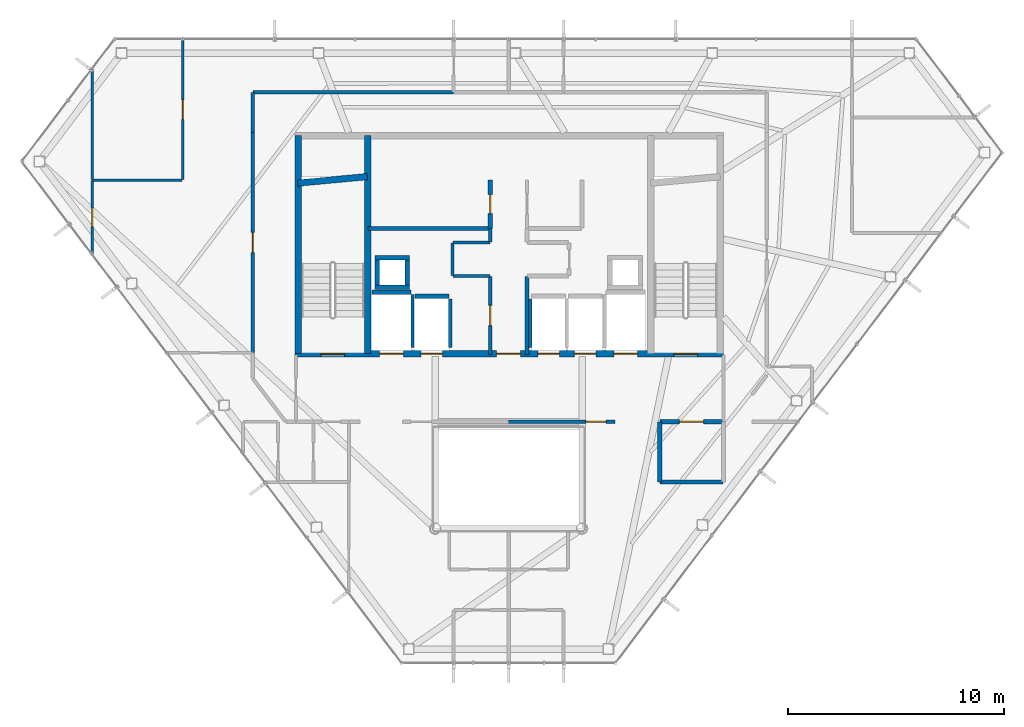
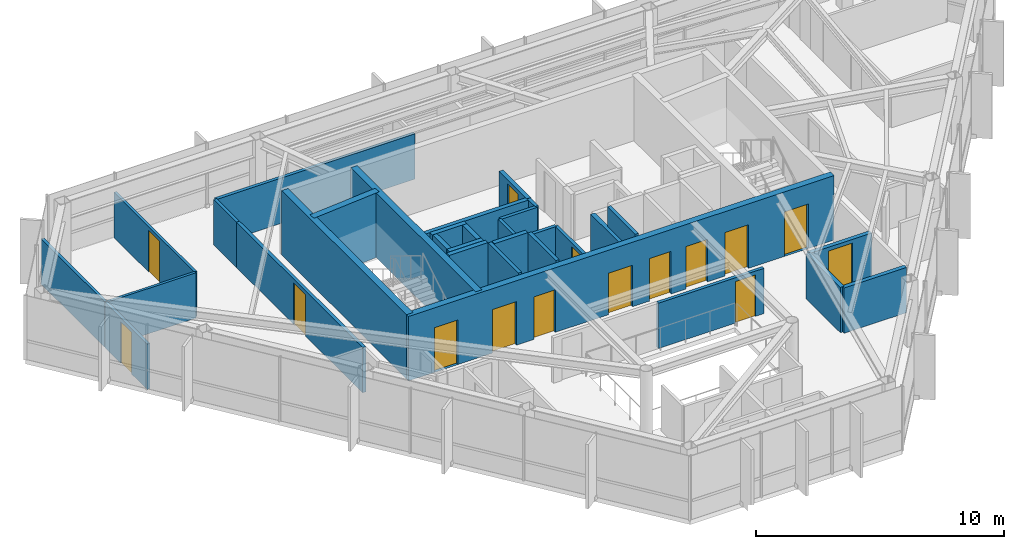
# One storey, part 23 of 26: 32 walls, 15 doors, 15 openings.
"""IFC4 building model written with IfcOpenShell, lengths in metres."""

from ifc_helpers import new_model, si_unit, direction, frame, frame_2d, origin, place, context, subcontext, project, spatial, rectangle, extrude, material, layer, layer_set, type_object, element, fill, save


model = new_model("IFC4")

# Units and contexts
model_context = context("Model", 3, precision=1e-05, world=origin(), true_north=direction((0.0, 1.0)))
body_context = subcontext(model_context, "Body", "Model", "MODEL_VIEW")
ifc_project = project(units=[si_unit("LENGTHUNIT", "METRE"), si_unit("AREAUNIT", "SQUARE_METRE"), si_unit("VOLUMEUNIT", "CUBIC_METRE"), si_unit("PLANEANGLEUNIT", "RADIAN"), si_unit("MASSUNIT", "GRAM", prefix="KILO")], contexts=[model_context])

# Site, building, storey
site_placement = place(None, origin())
site = spatial("IfcSite", under=ifc_project, at=site_placement, CompositionType="ELEMENT")
building_placement = place(site_placement, origin())
building = spatial("IfcBuilding", under=site, at=building_placement, Name="Zarrinselat Tower", CompositionType="ELEMENT")
storey_placement = place(building_placement, frame((0.0, 0.0, 258.39990234375)))
storey = spatial("IfcBuildingStorey", under=building, at=storey_placement, Name="L65", CompositionType="ELEMENT", Elevation=258.39990234375)

# Wall, opening, door
ifc_material_1 = material(Name="Concrete C40/50", Category="concrete")
ifc_layer_1 = layer(ifc_material_1, 0.18994140625)
ifc_layer_set_1 = layer_set([ifc_layer_1], Name="Concrete C40/50")
wall_type_1 = type_object("IfcWallType", Name="WAL-PART-EI120", PredefinedType="PARTITIONING", material=ifc_layer_set_1)
wall_1_placement = place(storey_placement, frame((45.405029296875, 30.14990234375, 0.0), z_axis=(0.0, 0.0, 1.0), x_axis=(1.0, 0.0, 0.0)))
wall_1 = element("IfcWall", 1, at=wall_1_placement, inside=storey, type_object=wall_type_1, Name="L65 Partition Wall 16", PredefinedType="PARTITIONING", context=body_context, shape_type="SweptSolid", body=[
    extrude(rectangle(XDim=2.925048828125, YDim=0.18994140625, at=frame_2d((1.46240234375, 0.0))), origin(), (0.0, 0.0, 1.0), 2.235107421875),
])
opening_1_placement = place(wall_1_placement, frame((0.902587890625, 0.0, 0.0)))
opening_1 = element("IfcOpeningElement", 2, at=opening_1_placement, cuts=wall_1, Name="Opening ID-02", PredefinedType="OPENING", context=body_context, shape_type="SweptSolid", body=[
    extrude(rectangle(XDim=1.1201171875, YDim=2.050048828125, at=frame_2d((0.56005859375, 1.02490234375))), frame((0.0, 0.10498046875, 0.0), z_axis=(0.0, -1.0, 0.0), x_axis=(1.0, 0.0, 0.0)), (0.0, 0.0, 1.0), 0.2099609375),
])
ifc_material_2 = material(Name="Steel S355J2", Category="steel")
door_type_1 = type_object("IfcDoorType", Name="DR-INT-FD60-W", OperationType="NOTDEFINED", PredefinedType="DOOR", material=ifc_material_2)
door_1_placement = place(opening_1_placement, origin())
door_1 = element("IfcDoor", 3, at=door_1_placement, inside=storey, type_object=door_type_1, Name="L65 Interior Door P16", OperationType="SINGLE_SWING_LEFT", OverallHeight=2.050048828125, OverallWidth=1.1201171875, PredefinedType="DOOR", context=body_context, shape_type="SweptSolid", body=[
    extrude(rectangle(XDim=1.1201171875, YDim=2.050048828125, at=frame_2d((0.56005859375, 1.02490234375))), frame((0.0, 0.02490234375, 0.0), z_axis=(0.0, -1.0, 0.0), x_axis=(1.0, 0.0, 0.0)), (0.0, 0.0, 1.0), 0.050048828125),
])
fill(opening_1, door_1)

# Walls
wall_2_placement = place(storey_placement, frame((45.419921875, 27.35009765625, 0.0), z_axis=(0.0, 0.0, 1.0), x_axis=(1.0, 0.0, 0.0)))
element("IfcWall", 4, at=wall_2_placement, inside=storey, type_object=wall_type_1, Name="L65 Partition Wall 24", PredefinedType="PARTITIONING", context=body_context, shape_type="SweptSolid", body=[
    extrude(rectangle(XDim=2.91015625, YDim=0.18994140625, at=frame_2d((1.455078125, 0.0))), origin(), (0.0, 0.0, 1.0), 2.235107421875),
])
wall_3_placement = place(storey_placement, frame((45.39990234375, 27.3701171875, 0.0), z_axis=(0.0, 0.0, 1.0), x_axis=(0.0, 1.0, 0.0)))
element("IfcWall", 5, at=wall_3_placement, inside=storey, type_object=wall_type_1, Name="L65 Partition Wall 25", PredefinedType="PARTITIONING", context=body_context, shape_type="SweptSolid", body=[
    extrude(rectangle(XDim=2.759765625, YDim=0.18994140625, at=frame_2d((1.3798828125, 0.0))), origin(), (0.0, 0.0, 1.0), 2.235107421875),
])

# Wall, opening, door
ifc_material_3 = material(Name="Fire-Rated Gypsum Board Partition", Category="gypsum")
ifc_layer_2 = layer(ifc_material_3, 0.14990234375)
ifc_layer_set_2 = layer_set([ifc_layer_2], Name="Fire-Rated Gypsum Board Partition")
wall_type_2 = type_object("IfcWallType", Name="WAL-PART-EI60", PredefinedType="PARTITIONING", material=ifc_layer_set_2)
wall_4_placement = place(storey_placement, frame((37.550048828125, 33.264892578125, 0.0), z_axis=(0.0, 0.0, 1.0), x_axis=(0.0, 1.0, 0.0)))
wall_4 = element("IfcWall", 6, at=wall_4_placement, inside=storey, type_object=wall_type_2, Name="L65 Partition Wall 1", PredefinedType="PARTITIONING", context=body_context, shape_type="SweptSolid", body=[
    extrude(rectangle(XDim=3.614990234375, YDim=0.14990234375, at=frame_2d((1.8076171875, 0.0))), origin(), (0.0, 0.0, 1.0), 2.235107421875),
])
opening_2_placement = place(wall_4_placement, frame((1.33740234375, 0.0, 0.0)))
opening_2 = element("IfcOpeningElement", 7, at=opening_2_placement, cuts=wall_4, Name="Opening ID-04", PredefinedType="OPENING", context=body_context, shape_type="SweptSolid", body=[
    extrude(rectangle(XDim=0.93994140625, YDim=2.050048828125, at=frame_2d((0.469970703125, 1.02490234375))), frame((0.0, 0.0849609375, 0.0), z_axis=(0.0, -1.0, 0.0), x_axis=(1.0, 0.0, 0.0)), (0.0, 0.0, 1.0), 0.169921875),
])
ifc_material_4 = material(Name="Fire-Rated Gypsum Board Partition")
door_type_2 = type_object("IfcDoorType", Name="DR-INT-FD30-ENT", OperationType="NOTDEFINED", PredefinedType="DOOR", material=ifc_material_4)
door_2_placement = place(opening_2_placement, origin())
door_2 = element("IfcDoor", 8, at=door_2_placement, inside=storey, type_object=door_type_2, Name="L65 Interior Door P1", OperationType="SINGLE_SWING_LEFT", OverallHeight=2.050048828125, OverallWidth=0.93994140625, PredefinedType="DOOR", context=body_context, shape_type="SweptSolid", body=[
    extrude(rectangle(XDim=0.93994140625, YDim=2.050048828125, at=frame_2d((0.469970703125, 1.02490234375))), frame((0.0, 0.02490234375, 0.0), z_axis=(0.0, -1.0, 0.0), x_axis=(1.0, 0.0, 0.0)), (0.0, 0.0, 1.0), 0.050048828125),
])
fill(opening_2, door_2)

# Walls
wall_5_placement = place(storey_placement, frame((35.820068359375, 36.89990234375, 0.0), z_axis=(0.0, 0.0, 1.0), x_axis=(1.0, 0.0, 0.0)))
element("IfcWall", 9, at=wall_5_placement, inside=storey, type_object=wall_type_2, Name="L65 Partition Wall 2", PredefinedType="PARTITIONING", context=body_context, shape_type="SweptSolid", body=[
    extrude(rectangle(XDim=1.7099609375, YDim=0.14990234375, at=frame_2d((0.85498046875, 0.0))), origin(), (0.0, 0.0, 1.0), 2.235107421875),
])
wall_6_placement = place(storey_placement, frame((35.800048828125, 36.919921875, 0.0), z_axis=(0.0, 0.0, 1.0), x_axis=(0.0, 1.0, 0.0)))
element("IfcWall", 10, at=wall_6_placement, inside=storey, type_object=wall_type_2, Name="L65 Partition Wall 3", PredefinedType="PARTITIONING", context=body_context, shape_type="SweptSolid", body=[
    extrude(rectangle(XDim=1.510009765625, YDim=0.14990234375, at=frame_2d((0.7548828125, 0.0))), origin(), (0.0, 0.0, 1.0), 2.235107421875),
])
wall_7_placement = place(storey_placement, frame((35.820068359375, 38.449951171875, 0.0), z_axis=(0.0, 0.0, 1.0), x_axis=(1.0, 0.0, 0.0)))
element("IfcWall", 11, at=wall_7_placement, inside=storey, type_object=wall_type_2, Name="L65 Partition Wall 4", PredefinedType="PARTITIONING", context=body_context, shape_type="SweptSolid", body=[
    extrude(rectangle(XDim=1.7099609375, YDim=0.14990234375, at=frame_2d((0.85498046875, 0.0))), origin(), (0.0, 0.0, 1.0), 2.235107421875),
])
wall_8_placement = place(storey_placement, frame((37.550048828125, 38.469970703125, 0.0), z_axis=(0.0, 0.0, 1.0), x_axis=(0.0, 1.0, 0.0)))
element("IfcWall", 12, at=wall_8_placement, inside=storey, type_object=wall_type_2, Name="L65 Partition Wall 5", PredefinedType="PARTITIONING", context=body_context, shape_type="SweptSolid", body=[
    extrude(rectangle(XDim=0.625, YDim=0.14990234375, at=frame_2d((0.3125, 0.0))), origin(), (0.0, 0.0, 1.0), 2.235107421875),
])

# Wall, opening, door
wall_9_placement = place(storey_placement, frame((38.385009765625, 30.14990234375, 0.0), z_axis=(0.0, 0.0, 1.0), x_axis=(1.0, 0.0, 0.0)))
wall_9 = element("IfcWall", 13, at=wall_9_placement, inside=storey, type_object=wall_type_2, Name="L65 Partition Wall 23", PredefinedType="PARTITIONING", context=body_context, shape_type="SweptSolid", body=[
    extrude(rectangle(XDim=4.929931640625, YDim=0.14990234375, at=frame_2d((2.46484375, 0.0))), origin(), (0.0, 0.0, 1.0), 2.235107421875),
])
opening_3_placement = place(wall_9_placement, frame((3.594970703125, 0.0, 0.0)))
opening_3 = element("IfcOpeningElement", 14, at=opening_3_placement, cuts=wall_9, Name="Opening ID-04", PredefinedType="OPENING", context=body_context, shape_type="SweptSolid", body=[
    extrude(rectangle(XDim=0.93994140625, YDim=2.050048828125, at=frame_2d((0.469970703125, 1.02490234375))), frame((0.0, 0.0849609375, 0.0), z_axis=(0.0, -1.0, 0.0), x_axis=(1.0, 0.0, 0.0)), (0.0, 0.0, 1.0), 0.169921875),
])
door_3_placement = place(opening_3_placement, origin())
door_3 = element("IfcDoor", 15, at=door_3_placement, inside=storey, type_object=door_type_2, Name="L65 Interior Door P23", OperationType="SINGLE_SWING_LEFT", OverallHeight=2.050048828125, OverallWidth=0.93994140625, PredefinedType="DOOR", context=body_context, shape_type="SweptSolid", body=[
    extrude(rectangle(XDim=0.93994140625, YDim=2.050048828125, at=frame_2d((0.469970703125, 1.02490234375))), frame((0.0, 0.02490234375, 0.0), z_axis=(0.0, -1.0, 0.0), x_axis=(1.0, 0.0, 0.0)), (0.0, 0.0, 1.0), 0.050048828125),
])
fill(opening_3, door_3)

wall_10_placement = place(storey_placement, frame((26.550048828125, 33.35302734375, 0.0), z_axis=(0.0, 0.0, 1.0), x_axis=(0.0, 1.0, 0.0)))
wall_10 = element("IfcWall", 16, at=wall_10_placement, inside=storey, type_object=wall_type_2, Name="L65 Partition Wall 28", PredefinedType="PARTITIONING", context=body_context, shape_type="SweptSolid", body=[
    extrude(rectangle(XDim=10.197021484375, YDim=0.14990234375, at=frame_2d((5.0986328125, 0.0))), origin(), (0.0, 0.0, 1.0), 2.235107421875),
])
opening_4_placement = place(wall_10_placement, frame((4.62841796875, 0.0, 0.0)))
opening_4 = element("IfcOpeningElement", 17, at=opening_4_placement, cuts=wall_10, Name="Opening ID-04", PredefinedType="OPENING", context=body_context, shape_type="SweptSolid", body=[
    extrude(rectangle(XDim=0.93994140625, YDim=2.050048828125, at=frame_2d((0.469970703125, 1.02490234375))), frame((0.0, 0.0849609375, 0.0), z_axis=(0.0, -1.0, 0.0), x_axis=(1.0, 0.0, 0.0)), (0.0, 0.0, 1.0), 0.169921875),
])
door_4_placement = place(opening_4_placement, origin())
door_4 = element("IfcDoor", 18, at=door_4_placement, inside=storey, type_object=door_type_2, Name="L65 Interior Door P28", OperationType="SINGLE_SWING_RIGHT", OverallHeight=2.050048828125, OverallWidth=0.93994140625, PredefinedType="DOOR", context=body_context, shape_type="SweptSolid", body=[
    extrude(rectangle(XDim=0.93994140625, YDim=2.050048828125, at=frame_2d((0.469970703125, 1.02490234375))), frame((0.0, 0.02490234375, 0.0), z_axis=(0.0, -1.0, 0.0), x_axis=(1.0, 0.0, 0.0)), (0.0, 0.0, 1.0), 0.050048828125),
])
fill(opening_4, door_4)

# Walls
wall_11_placement = place(storey_placement, frame((26.550048828125, 43.550048828125, 0.0), z_axis=(0.0, 0.0, 1.0), x_axis=(0.0, 1.0, 0.0)))
element("IfcWall", 19, at=wall_11_placement, inside=storey, type_object=wall_type_2, Name="L65 Partition Wall 29", PredefinedType="PARTITIONING", context=body_context, shape_type="SweptSolid", body=[
    extrude(rectangle(XDim=1.836669921875, YDim=0.14990234375, at=frame_2d((0.91845703125, 0.0))), origin(), (0.0, 0.0, 1.0), 2.235107421875),
])
wall_12_placement = place(storey_placement, frame((26.570068359375, 45.40673828125, 0.0), z_axis=(0.0, 0.0, 1.0), x_axis=(1.0, 0.0, 0.0)))
element("IfcWall", 20, at=wall_12_placement, inside=storey, type_object=wall_type_2, Name="L65 Partition Wall 30", PredefinedType="PARTITIONING", context=body_context, shape_type="SweptSolid", body=[
    extrude(rectangle(XDim=9.27490234375, YDim=0.14990234375, at=frame_2d((4.637451171875, 0.0))), origin(), (0.0, 0.0, 1.0), 2.235107421875),
])

# Wall, opening, door
ifc_material_5 = material(Name="Concrete C40/50", Category="concrete")
ifc_layer_3 = layer(ifc_material_5, 0.199951171875)
ifc_layer_set_3 = layer_set([ifc_layer_3], Name="Concrete C40/50")
wall_type_3 = type_object("IfcWallType", Name="WAL-PART-PLANT", PredefinedType="PARTITIONING", material=ifc_layer_set_3)
wall_13_placement = place(storey_placement, frame((37.550048828125, 39.10498046875, 0.0), z_axis=(0.0, 0.0, 1.0), x_axis=(0.0, 1.0, 0.0)))
wall_13 = element("IfcWall", 21, at=wall_13_placement, inside=storey, type_object=wall_type_3, Name="L65 Partition Wall 6", PredefinedType="PARTITIONING", context=body_context, shape_type="SweptSolid", body=[
    extrude(rectangle(XDim=2.2451171875, YDim=0.199951171875, at=frame_2d((1.12255859375, 0.0))), origin(), (0.0, 0.0, 1.0), 2.235107421875),
])
opening_5_placement = place(wall_13_placement, frame((0.6826171875, 0.0, 0.0)))
opening_5 = element("IfcOpeningElement", 22, at=opening_5_placement, cuts=wall_13, Name="Opening ID-03", PredefinedType="OPENING", context=body_context, shape_type="SweptSolid", body=[
    extrude(rectangle(XDim=0.8798828125, YDim=2.050048828125, at=frame_2d((0.43994140625, 1.02490234375))), frame((0.0, 0.10986328125, 0.0), z_axis=(0.0, -1.0, 0.0), x_axis=(1.0, 0.0, 0.0)), (0.0, 0.0, 1.0), 0.219970703125),
])
ifc_material_6 = material(Name="Steel S355J2", Category="steel")
door_type_3 = type_object("IfcDoorType", Name="DR-INT-FD60-S", OperationType="NOTDEFINED", PredefinedType="DOOR", material=ifc_material_6)
door_5_placement = place(opening_5_placement, origin())
door_5 = element("IfcDoor", 23, at=door_5_placement, inside=storey, type_object=door_type_3, Name="L65 Interior Door P6", OperationType="SINGLE_SWING_RIGHT", OverallHeight=2.050048828125, OverallWidth=0.8798828125, PredefinedType="DOOR", context=body_context, shape_type="SweptSolid", body=[
    extrude(rectangle(XDim=0.8798828125, YDim=2.050048828125, at=frame_2d((0.43994140625, 1.02490234375))), frame((0.0, 0.02490234375, 0.0), z_axis=(0.0, -1.0, 0.0), x_axis=(1.0, 0.0, 0.0)), (0.0, 0.0, 1.0), 0.050048828125),
])
fill(opening_5, door_5)

# Walls
wall_14_placement = place(storey_placement, frame((39.25, 33.264892578125, 0.0), z_axis=(0.0, 0.0, 1.0), x_axis=(0.0, 1.0, 0.0)))
element("IfcWall", 24, at=wall_14_placement, inside=storey, type_object=wall_type_3, Name="L65 Partition Wall 11", PredefinedType="PARTITIONING", context=body_context, shape_type="SweptSolid", body=[
    extrude(rectangle(XDim=3.614990234375, YDim=0.199951171875, at=frame_2d((1.8076171875, 0.0))), origin(), (0.0, 0.0, 1.0), 2.235107421875),
])
wall_15_placement = place(storey_placement, frame((31.885009765625, 39.10009765625, 0.0), z_axis=(0.0, 0.0, 1.0), x_axis=(1.0, 0.0, 0.0)))
element("IfcWall", 25, at=wall_15_placement, inside=storey, type_object=wall_type_3, Name="L65 Partition Wall 13", PredefinedType="PARTITIONING", context=body_context, shape_type="SweptSolid", body=[
    extrude(rectangle(XDim=5.64501953125, YDim=0.199951171875, at=frame_2d((2.822509765625, 0.0))), origin(), (0.0, 0.0, 1.0), 2.235107421875),
])
ifc_material_7 = material(Name="Fire-Rated Gypsum Board Partition", Category="gypsum")
ifc_layer_4 = layer(ifc_material_7, 0.1201171875)
ifc_layer_set_4 = layer_set([ifc_layer_4], Name="Fire-Rated Gypsum Board Partition")
wall_type_4 = type_object("IfcWallType", Name="WAL-PART-STD", PredefinedType="PARTITIONING", material=ifc_layer_set_4)
wall_16_placement = place(storey_placement, frame((19.1416015625, 41.33837890625, 0.0), z_axis=(0.0, 0.0, 1.0), x_axis=(1.0, 0.0, 0.0)))
element("IfcWall", 26, at=wall_16_placement, inside=storey, type_object=wall_type_4, Name="L65 Partition Wall 62", PredefinedType="PARTITIONING", context=body_context, shape_type="SweptSolid", body=[
    extrude(rectangle(XDim=4.14208984375, YDim=0.1201171875, at=frame_2d((2.071044921875, 0.0))), origin(), (0.0, 0.0, 1.0), 2.235107421875),
])

# Wall, opening, door
wall_17_placement = place(storey_placement, frame((23.3037109375, 41.3583984375, 0.0), z_axis=(0.0, 0.0, 1.0), x_axis=(0.0, 1.0, 0.0)))
wall_17 = element("IfcWall", 27, at=wall_17_placement, inside=storey, type_object=wall_type_4, Name="L65 Partition Wall 63", PredefinedType="PARTITIONING", context=body_context, shape_type="SweptSolid", body=[
    extrude(rectangle(XDim=6.493408203125, YDim=0.1201171875, at=frame_2d((3.24658203125, 0.0))), origin(), (0.0, 0.0, 1.0), 2.235107421875),
])
opening_6_placement = place(wall_17_placement, frame((2.796630859375, 0.0, 0.0)))
opening_6 = element("IfcOpeningElement", 28, at=opening_6_placement, cuts=wall_17, Name="Opening ID-05", PredefinedType="OPENING", context=body_context, shape_type="SweptSolid", body=[
    extrude(rectangle(XDim=0.89990234375, YDim=2.050048828125, at=frame_2d((0.449951171875, 1.02490234375))), frame((0.0, 0.070068359375, 0.0), z_axis=(0.0, -1.0, 0.0), x_axis=(1.0, 0.0, 0.0)), (0.0, 0.0, 1.0), 0.14013671875),
])
ifc_material_8 = material(Name="Extruded Aluminium Alloy EN AW-6063 T6", Category="aluminium")
door_type_4 = type_object("IfcDoorType", Name="DR-INT-STD-920", OperationType="NOTDEFINED", PredefinedType="DOOR", material=ifc_material_8)
door_6_placement = place(opening_6_placement, origin())
door_6 = element("IfcDoor", 29, at=door_6_placement, inside=storey, type_object=door_type_4, Name="L65 Interior Door P63", OperationType="SINGLE_SWING_LEFT", OverallHeight=2.050048828125, OverallWidth=0.89990234375, PredefinedType="DOOR", context=body_context, shape_type="SweptSolid", body=[
    extrude(rectangle(XDim=0.89990234375, YDim=2.050048828125, at=frame_2d((0.449951171875, 1.02490234375))), frame((0.0, 0.02490234375, 0.0), z_axis=(0.0, -1.0, 0.0), x_axis=(1.0, 0.0, 0.0)), (0.0, 0.0, 1.0), 0.050048828125),
])
fill(opening_6, door_6)

ifc_material_9 = material(Name="Fire-Rated Gypsum Board Partition", Category="gypsum")
ifc_layer_5 = layer(ifc_material_9, 0.135009765625)
ifc_layer_set_5 = layer_set([ifc_layer_5], Name="Fire-Rated Gypsum Board Partition")
wall_type_5 = type_object("IfcWallType", Name="WAL-PART-WET", PredefinedType="PARTITIONING", material=ifc_layer_set_5)
wall_18_placement = place(storey_placement, frame((19.12158203125, 37.9091796875, 0.0), z_axis=(0.0, 0.0, 1.0), x_axis=(0.0, 1.0, 0.0)))
wall_18 = element("IfcWall", 30, at=wall_18_placement, inside=storey, type_object=wall_type_5, Name="L65 Partition Wall 60", PredefinedType="PARTITIONING", context=body_context, shape_type="SweptSolid", body=[
    extrude(rectangle(XDim=3.4091796875, YDim=0.135009765625, at=frame_2d((1.70458984375, 0.0))), origin(), (0.0, 0.0, 1.0), 2.235107421875),
])
opening_7_placement = place(wall_18_placement, frame((1.274658203125, 0.0, 0.0)))
opening_7 = element("IfcOpeningElement", 31, at=opening_7_placement, cuts=wall_18, Name="Opening ID-06", PredefinedType="OPENING", context=body_context, shape_type="SweptSolid", body=[
    extrude(rectangle(XDim=0.860107421875, YDim=2.050048828125, at=frame_2d((0.43017578125, 1.02490234375))), frame((0.0, 0.077392578125, 0.0), z_axis=(0.0, -1.0, 0.0), x_axis=(1.0, 0.0, 0.0)), (0.0, 0.0, 1.0), 0.155029296875),
])
ifc_material_10 = material(Name="Extruded Aluminium Alloy EN AW-6063 T6", Category="aluminium")
door_type_5 = type_object("IfcDoorType", Name="DR-INT-WET-900", OperationType="NOTDEFINED", PredefinedType="DOOR", material=ifc_material_10)
door_7_placement = place(opening_7_placement, origin())
door_7 = element("IfcDoor", 32, at=door_7_placement, inside=storey, type_object=door_type_5, Name="L65 Interior Door P60", OperationType="SINGLE_SWING_LEFT", OverallHeight=2.050048828125, OverallWidth=0.860107421875, PredefinedType="DOOR", context=body_context, shape_type="SweptSolid", body=[
    extrude(rectangle(XDim=0.860107421875, YDim=2.050048828125, at=frame_2d((0.43017578125, 1.02490234375))), frame((0.0, 0.02490234375, 0.0), z_axis=(0.0, -1.0, 0.0), x_axis=(1.0, 0.0, 0.0)), (0.0, 0.0, 1.0), 0.050048828125),
])
fill(opening_7, door_7)

# Walls
wall_19_placement = place(storey_placement, frame((19.12158203125, 41.3583984375, 0.0), z_axis=(0.0, 0.0, 1.0), x_axis=(0.0, 1.0, 0.0)))
element("IfcWall", 33, at=wall_19_placement, inside=storey, type_object=wall_type_5, Name="L65 Partition Wall 65", PredefinedType="PARTITIONING", context=body_context, shape_type="SweptSolid", body=[
    extrude(rectangle(XDim=5.13134765625, YDim=0.135009765625, at=frame_2d((2.565673828125, 0.0))), origin(), (0.0, 0.0, 1.0), 2.235107421875),
])
ifc_material_11 = material(Name="Concrete C40/50", Category="concrete")
ifc_layer_6 = layer(ifc_material_11, 0.2099609375)
ifc_layer_set_6 = layer_set([ifc_layer_6], Name="Concrete C40/50")
wall_type_6 = type_object("IfcWallType", Name="WAL-SHAFT-210", PredefinedType="SOLIDWALL", material=ifc_layer_set_6)
wall_20_placement = place(storey_placement, frame((32.080078125, 36.155029296875, 0.0), z_axis=(0.0, 0.0, 1.0), x_axis=(1.0, 0.0, 0.0)))
element("IfcWall", 34, at=wall_20_placement, inside=storey, type_object=wall_type_6, Name="L65 Lift FFL1 North Shaft Wall", PredefinedType="SOLIDWALL", context=body_context, shape_type="SweptSolid", body=[
    extrude(rectangle(XDim=1.7998046875, YDim=0.2099609375, at=frame_2d((0.89990234375, 0.0))), origin(), (0.0, 0.0, 1.0), 3.18017578125),
])
wall_21_placement = place(storey_placement, frame((33.949951171875, 33.580078125, 0.0), z_axis=(0.0, 0.0, 1.0), x_axis=(0.0, 1.0, 0.0)))
element("IfcWall", 35, at=wall_21_placement, inside=storey, type_object=wall_type_6, Name="L65 Lift FFL1 E Shaft Wall", PredefinedType="SOLIDWALL", context=body_context, shape_type="SweptSolid", body=[
    extrude(rectangle(XDim=2.449951171875, YDim=0.159912109375, at=frame_2d((1.22509765625, 0.0))), origin(), (0.0, 0.0, 1.0), 3.18017578125),
])
wall_22_placement = place(storey_placement, frame((39.39990234375, 33.580078125, 0.0), z_axis=(0.0, 0.0, 1.0), x_axis=(0.0, 1.0, 0.0)))
element("IfcWall", 36, at=wall_22_placement, inside=storey, type_object=wall_type_6, Name="L65 Lift PL8 W Shaft Wall", PredefinedType="SOLIDWALL", context=body_context, shape_type="SweptSolid", body=[
    extrude(rectangle(XDim=2.25, YDim=0.159912109375, at=frame_2d((1.125, 0.0))), origin(), (0.0, 0.0, 1.0), 3.18017578125),
])
wall_23_placement = place(storey_placement, frame((34.070068359375, 35.955078125, 0.0), z_axis=(0.0, 0.0, 1.0), x_axis=(1.0, 0.0, 0.0)))
element("IfcWall", 37, at=wall_23_placement, inside=storey, type_object=wall_type_6, Name="L65 Lift PL10 North Shaft Wall", PredefinedType="SOLIDWALL", context=body_context, shape_type="SweptSolid", body=[
    extrude(rectangle(XDim=1.559814453125, YDim=0.2099609375, at=frame_2d((0.77978515625, 0.0))), origin(), (0.0, 0.0, 1.0), 3.18017578125),
])
wall_24_placement = place(storey_placement, frame((35.699951171875, 33.580078125, 0.0), z_axis=(0.0, 0.0, 1.0), x_axis=(0.0, 1.0, 0.0)))
element("IfcWall", 38, at=wall_24_placement, inside=storey, type_object=wall_type_6, Name="L65 Lift PL10 E Shaft Wall", PredefinedType="SOLIDWALL", context=body_context, shape_type="SweptSolid", body=[
    extrude(rectangle(XDim=2.25, YDim=0.159912109375, at=frame_2d((1.125, 0.0))), origin(), (0.0, 0.0, 1.0), 3.18017578125),
])
for number, where, z_axis, x_axis, name in (
    (39, (32.2099609375, 36.375, 0.0), (0.0, 0.0, 1.0), (1.0, 0.0, 0.0), "L65 Core Riser RSR-W S Shaft Wall"),
    (40, (32.2099609375, 37.7451171875, 0.0), (0.0, 0.0, 1.0), (1.0, 0.0, 0.0), "L65 Core Riser RSR-W N Shaft Wall"),
):
    element("IfcWall", number, at=place(storey_placement, frame(where, z_axis=z_axis, x_axis=x_axis)), inside=storey, type_object=wall_type_6, Name=name, PredefinedType="SOLIDWALL", context=body_context, shape_type="SweptSolid", body=[
        extrude(rectangle(XDim=1.60009765625, YDim=0.2099609375, at=frame_2d((0.800048828125, 0.0))), origin(), (0.0, 0.0, 1.0), 3.18017578125),
    ])
for number, where, z_axis, x_axis, name in (
    (41, (32.31494140625, 36.485107421875, 0.0), (0.0, 0.0, 1.0), (0.0, 1.0, 0.0), "L65 Core Riser RSR-W W Shaft Wall"),
    (42, (33.705078125, 36.485107421875, 0.0), (0.0, 0.0, 1.0), (0.0, 1.0, 0.0), "L65 Core Riser RSR-W E Shaft Wall"),
):
    element("IfcWall", number, at=place(storey_placement, frame(where, z_axis=z_axis, x_axis=x_axis)), inside=storey, type_object=wall_type_6, Name=name, PredefinedType="SOLIDWALL", context=body_context, shape_type="SweptSolid", body=[
        extrude(rectangle(XDim=1.14990234375, YDim=0.2099609375, at=frame_2d((0.574951171875, 0.0))), origin(), (0.0, 0.0, 1.0), 3.18017578125),
    ])

# Wall, openings, doors
ifc_material_12 = material(Name="Concrete C40/50", Category="concrete")
ifc_layer_7 = layer(ifc_material_12, 0.300048828125)
ifc_layer_set_7 = layer_set([ifc_layer_7], Name="Concrete C40/50")
wall_type_7 = type_object("IfcWallType", Name="WAL-SHEAR-300", PredefinedType="SHEAR", material=ifc_layer_set_7)
wall_25_placement = place(storey_placement, frame((28.5, 33.300048828125, 0.0), z_axis=(0.0, 0.0, 1.0), x_axis=(1.0, 0.0, 0.0)))
wall_25 = element("IfcWall", 43, at=wall_25_placement, inside=storey, type_object=wall_type_7, Name="L65 South Core Shear Wall", PredefinedType="SHEAR", context=body_context, shape_type="SweptSolid", body=[
    extrude(rectangle(XDim=19.860107421875, YDim=0.300048828125, at=frame_2d((9.93017578125, 0.0))), origin(), (0.0, 0.0, 1.0), 3.18017578125),
])
opening_8_placement = place(wall_25_placement, frame((3.929931640625, 0.0, 0.0)))
opening_8 = element("IfcOpeningElement", 44, at=opening_8_placement, cuts=wall_25, Name="Opening LD-FFL1", PredefinedType="OPENING", context=body_context, shape_type="SweptSolid", body=[
    extrude(rectangle(XDim=1.10009765625, YDim=2.14990234375, at=frame_2d((0.550048828125, 1.074951171875))), frame((0.0, 0.159912109375, 0.0), z_axis=(0.0, -1.0, 0.0), x_axis=(1.0, 0.0, 0.0)), (0.0, 0.0, 1.0), 0.320068359375),
])
opening_9_placement = place(wall_25_placement, frame((14.77001953125, 0.0, 0.0)))
opening_9 = element("IfcOpeningElement", 45, at=opening_9_placement, cuts=wall_25, Name="Opening LD-FFL2", PredefinedType="OPENING", context=body_context, shape_type="SweptSolid", body=[
    extrude(rectangle(XDim=1.10009765625, YDim=2.14990234375, at=frame_2d((0.550048828125, 1.074951171875))), frame((0.0, 0.159912109375, 0.0), z_axis=(0.0, -1.0, 0.0), x_axis=(1.0, 0.0, 0.0)), (0.0, 0.0, 1.0), 0.320068359375),
])
opening_10_placement = place(wall_25_placement, frame((11.25, 0.0, 0.0)))
opening_10 = element("IfcOpeningElement", 46, at=opening_10_placement, cuts=wall_25, Name="Opening LD-PL8", PredefinedType="OPENING", context=body_context, shape_type="SweptSolid", body=[
    extrude(rectangle(XDim=1.0, YDim=2.10009765625, at=frame_2d((0.5, 1.050048828125))), frame((0.0, 0.159912109375, 0.0), z_axis=(0.0, -1.0, 0.0), x_axis=(1.0, 0.0, 0.0)), (0.0, 0.0, 1.0), 0.320068359375),
])
opening_11_placement = place(wall_25_placement, frame((12.949951171875, 0.0, 0.0)))
opening_11 = element("IfcOpeningElement", 47, at=opening_11_placement, cuts=wall_25, Name="Opening LD-PL9", PredefinedType="OPENING", context=body_context, shape_type="SweptSolid", body=[
    extrude(rectangle(XDim=1.0, YDim=2.10009765625, at=frame_2d((0.5, 1.050048828125))), frame((0.0, 0.159912109375, 0.0), z_axis=(0.0, -1.0, 0.0), x_axis=(1.0, 0.0, 0.0)), (0.0, 0.0, 1.0), 0.320068359375),
])
opening_12_placement = place(wall_25_placement, frame((5.85009765625, 0.0, 0.0)))
opening_12 = element("IfcOpeningElement", 48, at=opening_12_placement, cuts=wall_25, Name="Opening LD-PL10", PredefinedType="OPENING", context=body_context, shape_type="SweptSolid", body=[
    extrude(rectangle(XDim=1.0, YDim=2.10009765625, at=frame_2d((0.5, 1.050048828125))), frame((0.0, 0.159912109375, 0.0), z_axis=(0.0, -1.0, 0.0), x_axis=(1.0, 0.0, 0.0)), (0.0, 0.0, 1.0), 0.320068359375),
])
opening_13_placement = place(wall_25_placement, frame((1.2099609375, 0.0, 0.0)))
opening_13 = element("IfcOpeningElement", 49, at=opening_13_placement, cuts=wall_25, Name="Opening SD-01", PredefinedType="OPENING", context=body_context, shape_type="SweptSolid", body=[
    extrude(rectangle(XDim=1.10009765625, YDim=2.199951171875, at=frame_2d((0.550048828125, 1.10009765625))), frame((0.0, 0.159912109375, 0.0), z_axis=(0.0, -1.0, 0.0), x_axis=(1.0, 0.0, 0.0)), (0.0, 0.0, 1.0), 0.320068359375),
])
opening_14_placement = place(wall_25_placement, frame((9.340087890625, 0.0, 0.0)))
opening_14 = element("IfcOpeningElement", 50, at=opening_14_placement, cuts=wall_25, Name="Opening ID-02", PredefinedType="OPENING", context=body_context, shape_type="SweptSolid", body=[
    extrude(rectangle(XDim=1.1201171875, YDim=2.050048828125, at=frame_2d((0.56005859375, 1.02490234375))), frame((0.0, 0.159912109375, 0.0), z_axis=(0.0, -1.0, 0.0), x_axis=(1.0, 0.0, 0.0)), (0.0, 0.0, 1.0), 0.320068359375),
])
opening_15_placement = place(wall_25_placement, frame((17.550048828125, 0.0, 0.0)))
opening_15 = element("IfcOpeningElement", 51, at=opening_15_placement, cuts=wall_25, Name="Opening SD-01", PredefinedType="OPENING", context=body_context, shape_type="SweptSolid", body=[
    extrude(rectangle(XDim=1.10009765625, YDim=2.199951171875, at=frame_2d((0.550048828125, 1.10009765625))), frame((0.0, 0.159912109375, 0.0), z_axis=(0.0, -1.0, 0.0), x_axis=(1.0, 0.0, 0.0)), (0.0, 0.0, 1.0), 0.320068359375),
])
door_8_placement = place(opening_14_placement, origin())
door_8 = element("IfcDoor", 52, at=door_8_placement, inside=storey, type_object=door_type_1, Name="L65 Core Service Vestibule Fire Door", OperationType="SINGLE_SWING_LEFT", OverallHeight=2.050048828125, OverallWidth=1.1201171875, PredefinedType="DOOR", context=body_context, shape_type="SweptSolid", body=[
    extrude(rectangle(XDim=1.1201171875, YDim=2.050048828125, at=frame_2d((0.56005859375, 1.02490234375))), frame((0.0, 0.02490234375, 0.0), z_axis=(0.0, -1.0, 0.0), x_axis=(1.0, 0.0, 0.0)), (0.0, 0.0, 1.0), 0.050048828125),
])
fill(opening_14, door_8)
ifc_material_13 = material(Name="Steel S355J2", Category="steel")
door_type_6 = type_object("IfcDoorType", Name="DR-LIFT-FF-1100", OperationType="NOTDEFINED", PredefinedType="DOOR", material=ifc_material_13)
door_9_placement = place(opening_8_placement, origin())
door_9 = element("IfcDoor", 53, at=door_9_placement, inside=storey, type_object=door_type_6, Name="L65 Lift FFL1 Sliding Landing Door", OperationType="SLIDING_TO_LEFT", OverallHeight=2.14990234375, OverallWidth=1.10009765625, PredefinedType="DOOR", context=body_context, shape_type="SweptSolid", body=[
    extrude(rectangle(XDim=1.10009765625, YDim=2.14990234375, at=frame_2d((0.550048828125, 1.074951171875))), frame((0.0, 0.02490234375, 0.0), z_axis=(0.0, -1.0, 0.0), x_axis=(1.0, 0.0, 0.0)), (0.0, 0.0, 1.0), 0.050048828125),
])
fill(opening_8, door_9)
door_10_placement = place(opening_9_placement, origin())
door_10 = element("IfcDoor", 54, at=door_10_placement, inside=storey, type_object=door_type_6, Name="L65 Lift FFL2 Sliding Landing Door", OperationType="SLIDING_TO_RIGHT", OverallHeight=2.14990234375, OverallWidth=1.10009765625, PredefinedType="DOOR", context=body_context, shape_type="SweptSolid", body=[
    extrude(rectangle(XDim=1.10009765625, YDim=2.14990234375, at=frame_2d((0.550048828125, 1.074951171875))), frame((0.0, 0.02490234375, 0.0), z_axis=(0.0, -1.0, 0.0), x_axis=(1.0, 0.0, 0.0)), (0.0, 0.0, 1.0), 0.050048828125),
])
fill(opening_9, door_10)
ifc_material_14 = material(Name="Steel S355J2", Category="steel")
door_type_7 = type_object("IfcDoorType", Name="DR-LIFT-PS-1000", OperationType="NOTDEFINED", PredefinedType="DOOR", material=ifc_material_14)
door_11_placement = place(opening_10_placement, origin())
door_11 = element("IfcDoor", 55, at=door_11_placement, inside=storey, type_object=door_type_7, Name="L65 Lift PL8 Sliding Landing Door", OperationType="SLIDING_TO_RIGHT", OverallHeight=2.10009765625, OverallWidth=1.0, PredefinedType="DOOR", context=body_context, shape_type="SweptSolid", body=[
    extrude(rectangle(XDim=1.0, YDim=2.10009765625, at=frame_2d((0.5, 1.050048828125))), frame((0.0, 0.02490234375, 0.0), z_axis=(0.0, -1.0, 0.0), x_axis=(1.0, 0.0, 0.0)), (0.0, 0.0, 1.0), 0.050048828125),
])
fill(opening_10, door_11)
door_12_placement = place(opening_11_placement, origin())
door_12 = element("IfcDoor", 56, at=door_12_placement, inside=storey, type_object=door_type_7, Name="L65 Lift PL9 Sliding Landing Door", OperationType="SLIDING_TO_LEFT", OverallHeight=2.10009765625, OverallWidth=1.0, PredefinedType="DOOR", context=body_context, shape_type="SweptSolid", body=[
    extrude(rectangle(XDim=1.0, YDim=2.10009765625, at=frame_2d((0.5, 1.050048828125))), frame((0.0, 0.02490234375, 0.0), z_axis=(0.0, -1.0, 0.0), x_axis=(1.0, 0.0, 0.0)), (0.0, 0.0, 1.0), 0.050048828125),
])
fill(opening_11, door_12)
door_13_placement = place(opening_12_placement, origin())
door_13 = element("IfcDoor", 57, at=door_13_placement, inside=storey, type_object=door_type_7, Name="L65 Lift PL10 Sliding Landing Door", OperationType="SLIDING_TO_RIGHT", OverallHeight=2.10009765625, OverallWidth=1.0, PredefinedType="DOOR", context=body_context, shape_type="SweptSolid", body=[
    extrude(rectangle(XDim=1.0, YDim=2.10009765625, at=frame_2d((0.5, 1.050048828125))), frame((0.0, 0.02490234375, 0.0), z_axis=(0.0, -1.0, 0.0), x_axis=(1.0, 0.0, 0.0)), (0.0, 0.0, 1.0), 0.050048828125),
])
fill(opening_12, door_13)
ifc_material_15 = material(Name="Steel S355J2", Category="steel")
door_type_8 = type_object("IfcDoorType", Name="DR-STAIR-1100", OperationType="NOTDEFINED", PredefinedType="DOOR", material=ifc_material_15)
door_14_placement = place(opening_13_placement, origin())
door_14 = element("IfcDoor", 58, at=door_14_placement, inside=storey, type_object=door_type_8, Name="L65 Exit Stair 1 Fire Door", OperationType="SINGLE_SWING_LEFT", OverallHeight=2.199951171875, OverallWidth=1.10009765625, PredefinedType="DOOR", context=body_context, shape_type="SweptSolid", body=[
    extrude(rectangle(XDim=1.10009765625, YDim=2.199951171875, at=frame_2d((0.550048828125, 1.10009765625))), frame((0.0, 0.02490234375, 0.0), z_axis=(0.0, -1.0, 0.0), x_axis=(1.0, 0.0, 0.0)), (0.0, 0.0, 1.0), 0.050048828125),
])
fill(opening_13, door_14)
door_15_placement = place(opening_15_placement, origin())
door_15 = element("IfcDoor", 59, at=door_15_placement, inside=storey, type_object=door_type_8, Name="L65 Exit Stair 2 Fire Door", OperationType="SINGLE_SWING_RIGHT", OverallHeight=2.199951171875, OverallWidth=1.10009765625, PredefinedType="DOOR", context=body_context, shape_type="SweptSolid", body=[
    extrude(rectangle(XDim=1.10009765625, YDim=2.199951171875, at=frame_2d((0.550048828125, 1.10009765625))), frame((0.0, 0.02490234375, 0.0), z_axis=(0.0, -1.0, 0.0), x_axis=(1.0, 0.0, 0.0)), (0.0, 0.0, 1.0), 0.050048828125),
])
fill(opening_15, door_15)

# Walls
for number, where, z_axis, x_axis, name in (
    (60, (28.64990234375, 33.300048828125, 0.0), (0.0, 0.0, 1.0), (0.0, 1.0, 0.0), "L65 Core Shear Wall W"),
    (61, (31.8701171875, 33.300048828125, 0.0), (0.0, 0.0, 1.0), (0.0, 1.0, 0.0), "L65 Core Shear Wall ST1E"),
):
    element("IfcWall", number, at=place(storey_placement, frame(where, z_axis=z_axis, x_axis=x_axis)), inside=storey, type_object=wall_type_7, Name=name, PredefinedType="SHEAR", context=body_context, shape_type="SweptSolid", body=[
        extrude(rectangle(XDim=10.099853515625, YDim=0.300048828125, at=frame_2d((5.0498046875, 0.0))), origin(), (0.0, 0.0, 1.0), 3.18017578125),
    ])
wall_26_placement = place(storey_placement, frame((28.639892578125, 41.199951171875, 0.0), z_axis=(0.0, 0.0, 1.0), x_axis=(0.995687118776, 0.092774789157, 0.0)))
element("IfcWall", 62, at=wall_26_placement, inside=storey, type_object=wall_type_7, Name="L65 Stair 1 North Shaft Wall", PredefinedType="SHEAR", context=body_context, shape_type="SweptSolid", body=[
    extrude(rectangle(XDim=3.234130859375, YDim=0.300048828125, at=frame_2d((1.6171875, 0.0))), origin(), (0.0, 0.0, 1.0), 3.18017578125),
])

save(model, "model.ifc")
